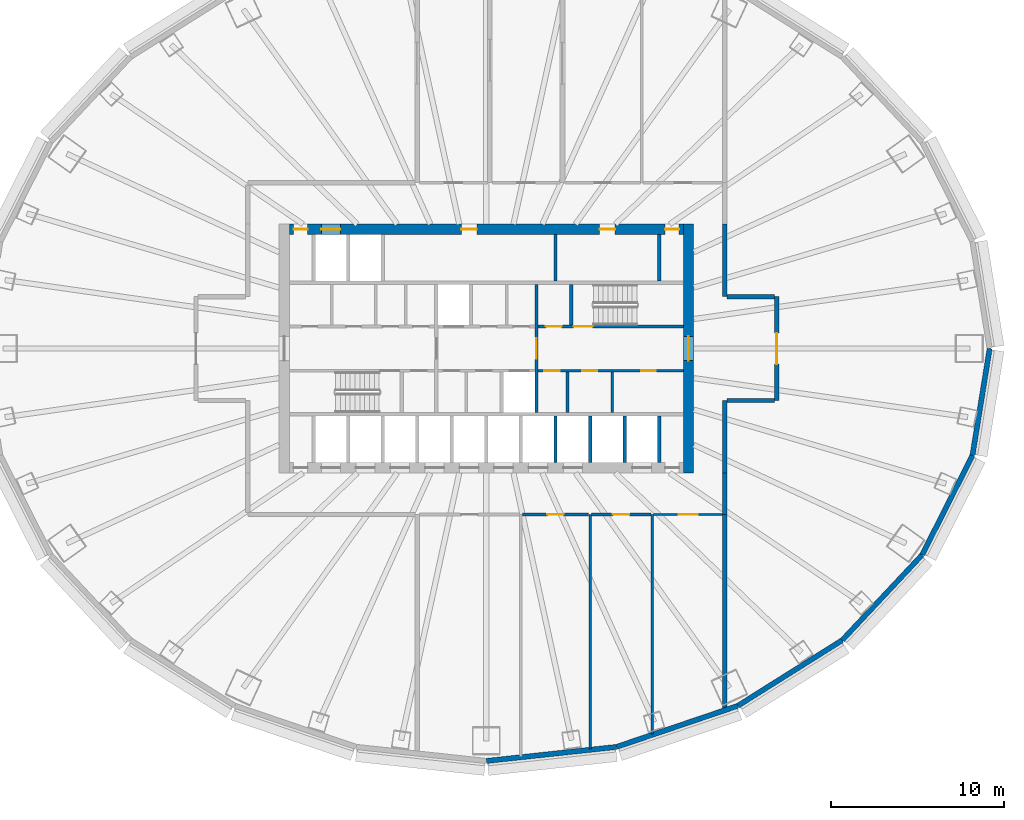
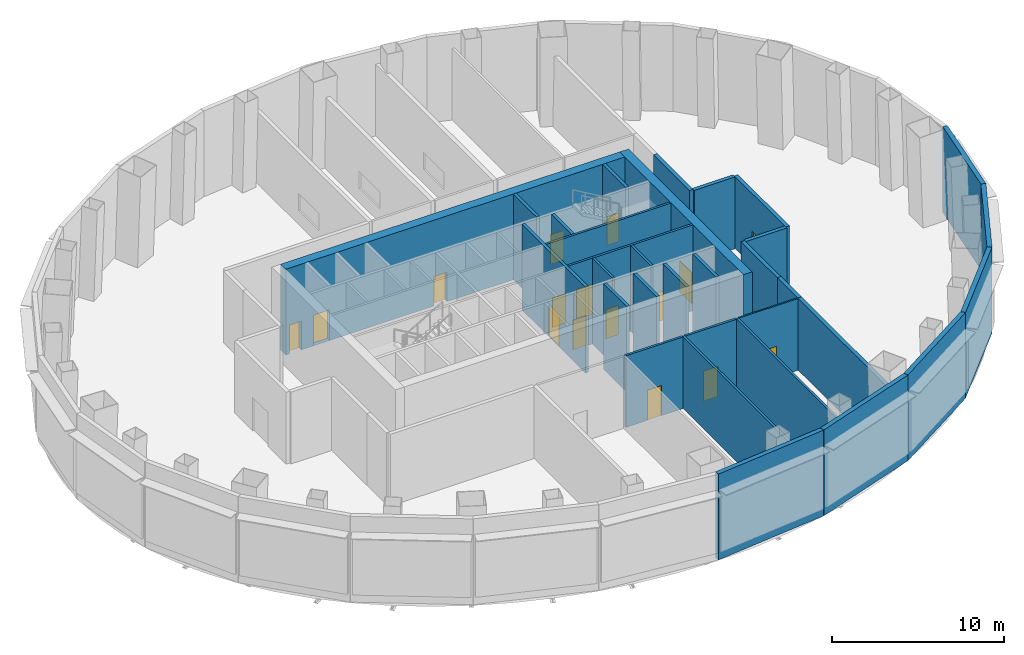
# One storey, part 4 of 9: 32 walls, 16 doors, 16 openings.
"""IFC4 building model written with IfcOpenShell, lengths in metres."""

from ifc_helpers import new_model, si_unit, direction, frame, frame_2d, origin, place, context, subcontext, project, spatial, rectangle, extrude, material, layer, layer_set, type_object, element, fill, save


model = new_model("IFC4")

# Units and contexts
model_context = context("Model", 3, precision=1e-05, world=origin(), true_north=direction((0.0, 1.0)))
body_context = subcontext(model_context, "Body", "Model", "MODEL_VIEW")
ifc_project = project(units=[si_unit("LENGTHUNIT", "METRE"), si_unit("AREAUNIT", "SQUARE_METRE"), si_unit("VOLUMEUNIT", "CUBIC_METRE"), si_unit("PLANEANGLEUNIT", "RADIAN"), si_unit("MASSUNIT", "GRAM", prefix="KILO")], contexts=[model_context])

# Site, building, storey
site_placement = place(None, origin())
site = spatial("IfcSite", under=ifc_project, at=site_placement, CompositionType="ELEMENT")
building_placement = place(site_placement, origin())
building = spatial("IfcBuilding", under=site, at=building_placement, Name="Siaravel Broadcast Tower", CompositionType="ELEMENT")
storey_placement = place(building_placement, frame((0.0, 0.0, 13.5)))
storey = spatial("IfcBuildingStorey", under=building, at=storey_placement, Name="L02", CompositionType="ELEMENT", Elevation=13.5)

# Walls
ifc_material_1 = material(Name="Concrete C40/50", Category="concrete")
ifc_layer_1 = layer(ifc_material_1, 0.300048828125)
ifc_layer_set_1 = layer_set([ifc_layer_1], Name="Concrete C40/50")
wall_type_1 = type_object("IfcWallType", Name="Acoustic studio wall", PredefinedType="STANDARD", material=ifc_layer_set_1)
wall_1_placement = place(storey_placement, frame((0.0, -23.86572265625, 0.0), z_axis=(0.0, 0.0, 1.0), x_axis=(0.994234458, 0.107227995, 0.0)))
element("IfcWall", 1, at=wall_1_placement, inside=storey, type_object=wall_type_1, Name="L02 studio acoustic wall 19", PredefinedType="STANDARD", context=body_context, shape_type="SweptSolid", body=[
    extrude(rectangle(XDim=7.57958984375, YDim=0.300048828125, at=frame_2d((3.789794921875, 0.0))), origin(), (0.0, 0.0, 1.0), 6.10009765625),
])
wall_2_placement = place(storey_placement, frame((7.535888671875, -23.052978515625, 0.0), z_axis=(0.0, 0.0, 1.0), x_axis=(0.946977627, 0.321299508, 0.0)))
element("IfcWall", 2, at=wall_2_placement, inside=storey, type_object=wall_type_1, Name="L02 studio acoustic wall 20", PredefinedType="STANDARD", context=body_context, shape_type="SweptSolid", body=[
    extrude(rectangle(XDim=7.416259765625, YDim=0.300048828125, at=frame_2d((3.7080078125, 0.0))), origin(), (0.0, 0.0, 1.0), 6.10009765625),
])
wall_3_placement = place(storey_placement, frame((14.558837890625, -20.670166015625, 0.0), z_axis=(0.0, 0.0, 1.0), x_axis=(0.846653753, 0.532144175, 0.0)))
element("IfcWall", 3, at=wall_3_placement, inside=storey, type_object=wall_type_1, Name="L02 studio acoustic wall 21", PredefinedType="STANDARD", context=body_context, shape_type="SweptSolid", body=[
    extrude(rectangle(XDim=7.12451171875, YDim=0.300048828125, at=frame_2d((3.562255859375, 0.0))), origin(), (0.0, 0.0, 1.0), 6.10009765625),
])
wall_4_placement = place(storey_placement, frame((20.5908203125, -16.87890625, 0.0), z_axis=(0.0, 0.0, 1.0), x_axis=(0.683676058, 0.729785617, 0.0)))
element("IfcWall", 4, at=wall_4_placement, inside=storey, type_object=wall_type_1, Name="L02 studio acoustic wall 22", PredefinedType="STANDARD", context=body_context, shape_type="SweptSolid", body=[
    extrude(rectangle(XDim=6.77197265625, YDim=0.300048828125, at=frame_2d((3.385986328125, 0.0))), origin(), (0.0, 0.0, 1.0), 6.10009765625),
])
wall_5_placement = place(storey_placement, frame((25.220703125, -11.936767578125, 0.0), z_axis=(0.0, 0.0, 1.0), x_axis=(0.45123552, 0.8924049, 0.0)))
element("IfcWall", 5, at=wall_5_placement, inside=storey, type_object=wall_type_1, Name="L02 studio acoustic wall 23", PredefinedType="STANDARD", context=body_context, shape_type="SweptSolid", body=[
    extrude(rectangle(XDim=6.451416015625, YDim=0.300048828125, at=frame_2d((3.2255859375, 0.0))), origin(), (0.0, 0.0, 1.0), 6.10009765625),
])
wall_6_placement = place(storey_placement, frame((28.1318359375, -6.179443359375, 0.0), z_axis=(0.0, 0.0, 1.0), x_axis=(0.158684207, 0.987329389, 0.0)))
element("IfcWall", 6, at=wall_6_placement, inside=storey, type_object=wall_type_1, Name="L02 studio acoustic wall 24", PredefinedType="STANDARD", context=body_context, shape_type="SweptSolid", body=[
    extrude(rectangle(XDim=6.2587890625, YDim=0.300048828125, at=frame_2d((3.12939453125, 0.0))), origin(), (0.0, 0.0, 1.0), 6.10009765625),
])
ifc_material_2 = material(Name="Concrete blockwork", Category="masonry")
ifc_layer_2 = layer(ifc_material_2, 0.14990234375)
ifc_layer_set_2 = layer_set([ifc_layer_2], Name="Concrete blockwork")
wall_type_2 = type_object("IfcWallType", Name="Core partition 150", PredefinedType="PARTITIONING", material=ifc_layer_set_2)
for number, where, z_axis, x_axis, name in (
    (7, (4.695068359375, -3.699951171875, 0.0), (0.0, 0.0, 1.0), (0.0, 1.0, 0.0), "L02 core partition PSE0"),
    (8, (7.27490234375, -3.699951171875, 0.0), (0.0, 0.0, 1.0), (0.0, 1.0, 0.0), "L02 core partition PSE1"),
):
    element("IfcWall", number, at=place(storey_placement, frame(where, z_axis=z_axis, x_axis=x_axis)), inside=storey, type_object=wall_type_2, Name=name, PredefinedType="PARTITIONING", context=body_context, shape_type="SweptSolid", body=[
        extrude(rectangle(XDim=2.349853515625, YDim=0.14990234375, at=frame_2d((1.1748046875, 0.0))), origin(), (0.0, 0.0, 1.0), 6.10009765625),
    ])
ifc_layer_3 = layer(ifc_material_2, 0.199951171875)
ifc_layer_set_3 = layer_set([ifc_layer_3], Name="Concrete blockwork")
wall_type_3 = type_object("IfcWallType", Name="Core partition 200", PredefinedType="PARTITIONING", material=ifc_layer_set_3)
wall_7_placement = place(storey_placement, frame((4.0, 3.89990234375, 0.0), z_axis=(0.0, 0.0, 1.0), x_axis=(0.0, 1.0, 0.0)))
element("IfcWall", 9, at=wall_7_placement, inside=storey, type_object=wall_type_3, Name="L02 core partition PFN2", PredefinedType="PARTITIONING", context=body_context, shape_type="SweptSolid", body=[
    extrude(rectangle(XDim=2.7001953125, YDim=0.199951171875, at=frame_2d((1.35009765625, 0.0))), origin(), (0.0, 0.0, 1.0), 6.10009765625),
])

# Wall, opening, door
ifc_material_3 = material(Name="Concrete C60/75", Category="concrete")
ifc_layer_4 = layer(ifc_material_3, 0.60009765625)
ifc_layer_set_4 = layer_set([ifc_layer_4], Name="Concrete C60/75")
wall_type_4 = type_object("IfcWallType", Name="Core wall 600", PredefinedType="SHEAR", material=ifc_layer_set_4)
wall_8_placement = place(storey_placement, frame((11.699951171875, -7.199951171875, 0.0), z_axis=(0.0, 0.0, 1.0), x_axis=(0.0, 1.0, 0.0)))
wall_8 = element("IfcWall", 10, at=wall_8_placement, inside=storey, type_object=wall_type_4, Name="L02 core wall OE", PredefinedType="SHEAR", context=body_context, shape_type="SweptSolid", body=[
    extrude(rectangle(XDim=14.39990234375, YDim=0.60009765625, at=frame_2d((7.199951171875, 0.0))), origin(), (0.0, 0.0, 1.0), 6.10009765625),
])
opening_1_placement = place(wall_8_placement, frame((6.5, 0.0, 0.0)))
opening_1 = element("IfcOpeningElement", 11, at=opening_1_placement, cuts=wall_8, Name="Opening L02-DX-E", PredefinedType="OPENING", context=body_context, shape_type="SweptSolid", body=[
    extrude(rectangle(XDim=1.39990234375, YDim=2.199951171875, at=frame_2d((0.699951171875, 1.10009765625))), frame((0.0, 0.31005859375, 0.0), z_axis=(0.0, -1.0, 0.0), x_axis=(1.0, 0.0, 0.0)), (0.0, 0.0, 1.0), 0.6201171875),
])
ifc_material_4 = material(Name="Steel", Category="steel")
door_type_1 = type_object("IfcDoorType", Name="Core exit door 1400", OperationType="DOUBLE_DOOR_SINGLE_SWING", PredefinedType="DOOR", material=ifc_material_4)
door_1_placement = place(opening_1_placement, origin())
door_1 = element("IfcDoor", 12, at=door_1_placement, inside=storey, type_object=door_type_1, Name="L02 door DX-E", OperationType="DOUBLE_DOOR_SINGLE_SWING", OverallHeight=2.199951171875, OverallWidth=1.39990234375, PredefinedType="DOOR", context=body_context, shape_type="SweptSolid", body=[
    extrude(rectangle(XDim=1.39990234375, YDim=2.199951171875, at=frame_2d((0.699951171875, 1.10009765625))), frame((0.0, 0.02490234375, 0.0), z_axis=(0.0, -1.0, 0.0), x_axis=(1.0, 0.0, 0.0)), (0.0, 0.0, 1.0), 0.050048828125),
])
fill(opening_1, door_1)

# Wall, openings, doors
wall_9_placement = place(storey_placement, frame((-11.39990234375, 6.89990234375, 0.0), z_axis=(0.0, 0.0, 1.0), x_axis=(1.0, 0.0, 0.0)))
wall_9 = element("IfcWall", 13, at=wall_9_placement, inside=storey, type_object=wall_type_4, Name="L02 core wall ON", PredefinedType="SHEAR", context=body_context, shape_type="SweptSolid", body=[
    extrude(rectangle(XDim=22.7998046875, YDim=0.60009765625, at=frame_2d((11.39990234375, 0.0))), origin(), (0.0, 0.0, 1.0), 6.10009765625),
])
opening_2_placement = place(wall_9_placement, frame((1.85009765625, 0.0, 0.0)))
opening_2 = element("IfcOpeningElement", 14, at=opening_2_placement, cuts=wall_9, Name="Opening LD-SV2-L02", PredefinedType="OPENING", context=body_context, shape_type="SweptSolid", body=[
    extrude(rectangle(XDim=1.10009765625, YDim=2.199951171875, at=frame_2d((0.550048828125, 1.10009765625))), frame((0.0, 0.31005859375, 0.0), z_axis=(0.0, -1.0, 0.0), x_axis=(1.0, 0.0, 0.0)), (0.0, 0.0, 1.0), 0.6201171875),
])
opening_3_placement = place(wall_9_placement, frame((9.949951171875, 0.0, 0.0)))
opening_3 = element("IfcOpeningElement", 15, at=opening_3_placement, cuts=wall_9, Name="Opening L02-DFN2", PredefinedType="OPENING", context=body_context, shape_type="SweptSolid", body=[
    extrude(rectangle(XDim=0.89990234375, YDim=2.10009765625, at=frame_2d((0.449951171875, 1.050048828125))), frame((0.0, 0.31005859375, 0.0), z_axis=(0.0, -1.0, 0.0), x_axis=(1.0, 0.0, 0.0)), (0.0, 0.0, 1.0), 0.6201171875),
])
opening_4_placement = place(wall_9_placement, frame((17.949951171875, 0.0, 0.0)))
opening_4 = element("IfcOpeningElement", 16, at=opening_4_placement, cuts=wall_9, Name="Opening L02-DFN7", PredefinedType="OPENING", context=body_context, shape_type="SweptSolid", body=[
    extrude(rectangle(XDim=0.89990234375, YDim=2.10009765625, at=frame_2d((0.449951171875, 1.050048828125))), frame((0.0, 0.31005859375, 0.0), z_axis=(0.0, -1.0, 0.0), x_axis=(1.0, 0.0, 0.0)), (0.0, 0.0, 1.0), 0.6201171875),
])
opening_5_placement = place(wall_9_placement, frame((0.25, 0.0, 0.0)))
opening_5 = element("IfcOpeningElement", 17, at=opening_5_placement, cuts=wall_9, Name="Opening L02-DRNW", PredefinedType="OPENING", context=body_context, shape_type="SweptSolid", body=[
    extrude(rectangle(XDim=0.800048828125, YDim=2.050048828125, at=frame_2d((0.39990234375, 1.02490234375))), frame((0.0, 0.31005859375, 0.0), z_axis=(0.0, -1.0, 0.0), x_axis=(1.0, 0.0, 0.0)), (0.0, 0.0, 1.0), 0.6201171875),
])
opening_6_placement = place(wall_9_placement, frame((21.75, 0.0, 0.0)))
opening_6 = element("IfcOpeningElement", 18, at=opening_6_placement, cuts=wall_9, Name="Opening L02-DRNE", PredefinedType="OPENING", context=body_context, shape_type="SweptSolid", body=[
    extrude(rectangle(XDim=0.800048828125, YDim=2.050048828125, at=frame_2d((0.39990234375, 1.02490234375))), frame((0.0, 0.31005859375, 0.0), z_axis=(0.0, -1.0, 0.0), x_axis=(1.0, 0.0, 0.0)), (0.0, 0.0, 1.0), 0.6201171875),
])
ifc_material_5 = material(Name="Timber veneer", Category="wood")
door_type_2 = type_object("IfcDoorType", Name="Core room door 900", OperationType="SINGLE_SWING_LEFT", PredefinedType="DOOR", material=ifc_material_5)
door_2_placement = place(opening_3_placement, origin())
door_2 = element("IfcDoor", 19, at=door_2_placement, inside=storey, type_object=door_type_2, Name="L02 door DFN2", OperationType="SINGLE_SWING_LEFT", OverallHeight=2.10009765625, OverallWidth=0.89990234375, PredefinedType="DOOR", context=body_context, shape_type="SweptSolid", body=[
    extrude(rectangle(XDim=0.89990234375, YDim=2.10009765625, at=frame_2d((0.449951171875, 1.050048828125))), frame((0.0, 0.02490234375, 0.0), z_axis=(0.0, -1.0, 0.0), x_axis=(1.0, 0.0, 0.0)), (0.0, 0.0, 1.0), 0.050048828125),
])
fill(opening_3, door_2)
door_3_placement = place(opening_4_placement, origin())
door_3 = element("IfcDoor", 20, at=door_3_placement, inside=storey, type_object=door_type_2, Name="L02 door DFN7", OperationType="SINGLE_SWING_LEFT", OverallHeight=2.10009765625, OverallWidth=0.89990234375, PredefinedType="DOOR", context=body_context, shape_type="SweptSolid", body=[
    extrude(rectangle(XDim=0.89990234375, YDim=2.10009765625, at=frame_2d((0.449951171875, 1.050048828125))), frame((0.0, 0.02490234375, 0.0), z_axis=(0.0, -1.0, 0.0), x_axis=(1.0, 0.0, 0.0)), (0.0, 0.0, 1.0), 0.050048828125),
])
fill(opening_4, door_3)
door_type_3 = type_object("IfcDoorType", Name="Riser door 800", OperationType="SINGLE_SWING_LEFT", PredefinedType="DOOR", material=ifc_material_4)
door_4_placement = place(opening_5_placement, origin())
door_4 = element("IfcDoor", 21, at=door_4_placement, inside=storey, type_object=door_type_3, Name="L02 door DRNW", OperationType="SINGLE_SWING_LEFT", OverallHeight=2.050048828125, OverallWidth=0.800048828125, PredefinedType="DOOR", context=body_context, shape_type="SweptSolid", body=[
    extrude(rectangle(XDim=0.800048828125, YDim=2.050048828125, at=frame_2d((0.39990234375, 1.02490234375))), frame((0.0, 0.02490234375, 0.0), z_axis=(0.0, -1.0, 0.0), x_axis=(1.0, 0.0, 0.0)), (0.0, 0.0, 1.0), 0.050048828125),
])
fill(opening_5, door_4)
door_5_placement = place(opening_6_placement, origin())
door_5 = element("IfcDoor", 22, at=door_5_placement, inside=storey, type_object=door_type_3, Name="L02 door DRNE", OperationType="SINGLE_SWING_LEFT", OverallHeight=2.050048828125, OverallWidth=0.800048828125, PredefinedType="DOOR", context=body_context, shape_type="SweptSolid", body=[
    extrude(rectangle(XDim=0.800048828125, YDim=2.050048828125, at=frame_2d((0.39990234375, 1.02490234375))), frame((0.0, 0.02490234375, 0.0), z_axis=(0.0, -1.0, 0.0), x_axis=(1.0, 0.0, 0.0)), (0.0, 0.0, 1.0), 0.050048828125),
])
fill(opening_6, door_5)
ifc_material_6 = material(Name="Stainless steel 316L", Category="steel")
door_type_4 = type_object("IfcDoorType", Name="Service lift landing door 1100", OperationType="DOUBLE_DOOR_SLIDING", PredefinedType="DOOR", material=ifc_material_6)
door_6_placement = place(opening_2_placement, origin())
door_6 = element("IfcDoor", 23, at=door_6_placement, inside=storey, type_object=door_type_4, Name="Landing door SV2 L02", OperationType="DOUBLE_DOOR_SLIDING", OverallHeight=2.199951171875, OverallWidth=1.10009765625, PredefinedType="DOOR", context=body_context, shape_type="SweptSolid", body=[
    extrude(rectangle(XDim=1.10009765625, YDim=2.199951171875, at=frame_2d((0.550048828125, 1.10009765625))), frame((0.0, 0.02490234375, 0.0), z_axis=(0.0, -1.0, 0.0), x_axis=(1.0, 0.0, 0.0)), (0.0, 0.0, 1.0), 0.050048828125),
])
fill(opening_2, door_6)

ifc_material_7 = material(Name="Gypsum board partition", Category="gypsum")
ifc_layer_5 = layer(ifc_material_7, 0.14990234375)
ifc_layer_set_5 = layer_set([ifc_layer_5], Name="Gypsum board partition")
wall_type_5 = type_object("IfcWallType", Name="Corridor wall 150", PredefinedType="PARTITIONING", material=ifc_layer_set_5)
wall_10_placement = place(storey_placement, frame((3.0, -1.27490234375, 0.0), z_axis=(0.0, 0.0, 1.0), x_axis=(1.0, 0.0, 0.0)))
wall_10 = element("IfcWall", 24, at=wall_10_placement, inside=storey, type_object=wall_type_5, Name="L02 core partition CSE", PredefinedType="PARTITIONING", context=body_context, shape_type="SweptSolid", body=[
    extrude(rectangle(XDim=8.39990234375, YDim=0.14990234375, at=frame_2d((4.199951171875, 0.0))), origin(), (0.0, 0.0, 1.0), 6.10009765625),
])
opening_7_placement = place(wall_10_placement, frame((0.360107421875, 0.0, 0.0)))
opening_7 = element("IfcOpeningElement", 25, at=opening_7_placement, cuts=wall_10, Name="Opening L02-DSE0", PredefinedType="OPENING", context=body_context, shape_type="SweptSolid", body=[
    extrude(rectangle(XDim=0.89990234375, YDim=2.10009765625, at=frame_2d((0.449951171875, 1.050048828125))), frame((0.0, 0.0849609375, 0.0), z_axis=(0.0, -1.0, 0.0), x_axis=(1.0, 0.0, 0.0)), (0.0, 0.0, 1.0), 0.169921875),
])
opening_8_placement = place(wall_10_placement, frame((2.56005859375, 0.0, 0.0)))
opening_8 = element("IfcOpeningElement", 26, at=opening_8_placement, cuts=wall_10, Name="Opening L02-DSE1", PredefinedType="OPENING", context=body_context, shape_type="SweptSolid", body=[
    extrude(rectangle(XDim=0.85009765625, YDim=2.10009765625, at=frame_2d((0.425048828125, 1.050048828125))), frame((0.0, 0.0849609375, 0.0), z_axis=(0.0, -1.0, 0.0), x_axis=(1.0, 0.0, 0.0)), (0.0, 0.0, 1.0), 0.169921875),
])
opening_9_placement = place(wall_10_placement, frame((5.949951171875, 0.0, 0.0)))
opening_9 = element("IfcOpeningElement", 27, at=opening_9_placement, cuts=wall_10, Name="Opening L02-DSE2", PredefinedType="OPENING", context=body_context, shape_type="SweptSolid", body=[
    extrude(rectangle(XDim=0.85009765625, YDim=2.10009765625, at=frame_2d((0.425048828125, 1.050048828125))), frame((0.0, 0.0849609375, 0.0), z_axis=(0.0, -1.0, 0.0), x_axis=(1.0, 0.0, 0.0)), (0.0, 0.0, 1.0), 0.169921875),
])
door_7_placement = place(opening_7_placement, origin())
door_7 = element("IfcDoor", 28, at=door_7_placement, inside=storey, type_object=door_type_2, Name="L02 door DSE0", OperationType="SINGLE_SWING_LEFT", OverallHeight=2.10009765625, OverallWidth=0.89990234375, PredefinedType="DOOR", context=body_context, shape_type="SweptSolid", body=[
    extrude(rectangle(XDim=0.89990234375, YDim=2.10009765625, at=frame_2d((0.449951171875, 1.050048828125))), frame((0.0, 0.02490234375, 0.0), z_axis=(0.0, -1.0, 0.0), x_axis=(1.0, 0.0, 0.0)), (0.0, 0.0, 1.0), 0.050048828125),
])
fill(opening_7, door_7)
door_type_5 = type_object("IfcDoorType", Name="Core toilet door 850", OperationType="SINGLE_SWING_LEFT", PredefinedType="DOOR", material=ifc_material_5)
door_8_placement = place(opening_8_placement, origin())
door_8 = element("IfcDoor", 29, at=door_8_placement, inside=storey, type_object=door_type_5, Name="L02 door DSE1", OperationType="SINGLE_SWING_LEFT", OverallHeight=2.10009765625, OverallWidth=0.85009765625, PredefinedType="DOOR", context=body_context, shape_type="SweptSolid", body=[
    extrude(rectangle(XDim=0.85009765625, YDim=2.10009765625, at=frame_2d((0.425048828125, 1.050048828125))), frame((0.0, 0.02490234375, 0.0), z_axis=(0.0, -1.0, 0.0), x_axis=(1.0, 0.0, 0.0)), (0.0, 0.0, 1.0), 0.050048828125),
])
fill(opening_8, door_8)
door_9_placement = place(opening_9_placement, origin())
door_9 = element("IfcDoor", 30, at=door_9_placement, inside=storey, type_object=door_type_5, Name="L02 door DSE2", OperationType="SINGLE_SWING_LEFT", OverallHeight=2.10009765625, OverallWidth=0.85009765625, PredefinedType="DOOR", context=body_context, shape_type="SweptSolid", body=[
    extrude(rectangle(XDim=0.85009765625, YDim=2.10009765625, at=frame_2d((0.425048828125, 1.050048828125))), frame((0.0, 0.02490234375, 0.0), z_axis=(0.0, -1.0, 0.0), x_axis=(1.0, 0.0, 0.0)), (0.0, 0.0, 1.0), 0.050048828125),
])
fill(opening_9, door_9)

# Wall, opening, door
wall_11_placement = place(storey_placement, frame((2.076904296875, -9.60009765625, 0.0), z_axis=(0.0, 0.0, 1.0), x_axis=(1.0, 0.0, 0.0)))
wall_11 = element("IfcWall", 31, at=wall_11_placement, inside=storey, type_object=wall_type_5, Name="L02 partition 25", PredefinedType="PARTITIONING", context=body_context, shape_type="SweptSolid", body=[
    extrude(rectangle(XDim=3.84619140625, YDim=0.14990234375, at=frame_2d((1.923095703125, 0.0))), origin(), (0.0, 0.0, 1.0), 5.10009765625),
])
opening_10_placement = place(wall_11_placement, frame((1.447998046875, 0.0, 0.0)))
opening_10 = element("IfcOpeningElement", 32, at=opening_10_placement, cuts=wall_11, Name="Opening L02-006", PredefinedType="OPENING", context=body_context, shape_type="SweptSolid", body=[
    extrude(rectangle(XDim=0.949951171875, YDim=2.14990234375, at=frame_2d((0.47509765625, 1.074951171875))), frame((0.0, 0.0849609375, 0.0), z_axis=(0.0, -1.0, 0.0), x_axis=(1.0, 0.0, 0.0)), (0.0, 0.0, 1.0), 0.169921875),
])
door_type_6 = type_object("IfcDoorType", Name="Office door 950", OperationType="SINGLE_SWING_LEFT", PredefinedType="DOOR", material=ifc_material_5)
door_10_placement = place(opening_10_placement, origin())
door_10 = element("IfcDoor", 33, at=door_10_placement, inside=storey, type_object=door_type_6, Name="L02 door to Make-up room", OperationType="SINGLE_SWING_RIGHT", OverallHeight=2.14990234375, OverallWidth=0.949951171875, PredefinedType="DOOR", context=body_context, shape_type="SweptSolid", body=[
    extrude(rectangle(XDim=0.949951171875, YDim=2.14990234375, at=frame_2d((0.47509765625, 1.074951171875))), frame((0.0, 0.02490234375, 0.0), z_axis=(0.0, -1.0, 0.0), x_axis=(1.0, 0.0, 0.0)), (0.0, 0.0, 1.0), 0.050048828125),
])
fill(opening_10, door_10)

wall_12_placement = place(storey_placement, frame((6.076904296875, -9.60009765625, 0.0), z_axis=(0.0, 0.0, 1.0), x_axis=(1.0, 0.0, 0.0)))
wall_12 = element("IfcWall", 34, at=wall_12_placement, inside=storey, type_object=wall_type_5, Name="L02 partition 26", PredefinedType="PARTITIONING", context=body_context, shape_type="SweptSolid", body=[
    extrude(rectangle(XDim=3.446044921875, YDim=0.14990234375, at=frame_2d((1.72314453125, 0.0))), origin(), (0.0, 0.0, 1.0), 5.10009765625),
])
opening_11_placement = place(wall_12_placement, frame((1.248046875, 0.0, 0.0)))
opening_11 = element("IfcOpeningElement", 35, at=opening_11_placement, cuts=wall_12, Name="Opening L02-007", PredefinedType="OPENING", context=body_context, shape_type="SweptSolid", body=[
    extrude(rectangle(XDim=0.949951171875, YDim=2.14990234375, at=frame_2d((0.47509765625, 1.074951171875))), frame((0.0, 0.0849609375, 0.0), z_axis=(0.0, -1.0, 0.0), x_axis=(1.0, 0.0, 0.0)), (0.0, 0.0, 1.0), 0.169921875),
])
door_11_placement = place(opening_11_placement, origin())
door_11 = element("IfcDoor", 36, at=door_11_placement, inside=storey, type_object=door_type_6, Name="L02 door to Costume store", OperationType="SINGLE_SWING_LEFT", OverallHeight=2.14990234375, OverallWidth=0.949951171875, PredefinedType="DOOR", context=body_context, shape_type="SweptSolid", body=[
    extrude(rectangle(XDim=0.949951171875, YDim=2.14990234375, at=frame_2d((0.47509765625, 1.074951171875))), frame((0.0, 0.02490234375, 0.0), z_axis=(0.0, -1.0, 0.0), x_axis=(1.0, 0.0, 0.0)), (0.0, 0.0, 1.0), 0.050048828125),
])
fill(opening_11, door_11)

ifc_material_8 = material(Name="Glazed aluminium partition", Category="aluminium")
ifc_layer_6 = layer(ifc_material_8, 0.10009765625)
ifc_layer_set_6 = layer_set([ifc_layer_6], Name="Glazed aluminium partition")
wall_type_6 = type_object("IfcWallType", Name="Glazed meeting room partition 100", PredefinedType="PARTITIONING", material=ifc_layer_set_6)
wall_13_placement = place(storey_placement, frame((9.677001953125, -9.60009765625, 0.0), z_axis=(0.0, 0.0, 1.0), x_axis=(1.0, 0.0, 0.0)))
wall_13 = element("IfcWall", 37, at=wall_13_placement, inside=storey, type_object=wall_type_6, Name="L02 partition 22", PredefinedType="PARTITIONING", context=body_context, shape_type="SweptSolid", body=[
    extrude(rectangle(XDim=3.99609375, YDim=0.10009765625, at=frame_2d((1.998046875, 0.0))), origin(), (0.0, 0.0, 1.0), 5.10009765625),
])
opening_12_placement = place(wall_13_placement, frame((1.447998046875, 0.0, 0.0)))
opening_12 = element("IfcOpeningElement", 38, at=opening_12_placement, cuts=wall_13, Name="Opening L02-008", PredefinedType="OPENING", context=body_context, shape_type="SweptSolid", body=[
    extrude(rectangle(XDim=1.10009765625, YDim=2.199951171875, at=frame_2d((0.550048828125, 1.10009765625))), frame((0.0, 0.06005859375, 0.0), z_axis=(0.0, -1.0, 0.0), x_axis=(1.0, 0.0, 0.0)), (0.0, 0.0, 1.0), 0.1201171875),
])
door_type_7 = type_object("IfcDoorType", Name="Meeting room door 1100", OperationType="SINGLE_SWING_LEFT", PredefinedType="DOOR", material=ifc_material_5)
door_12_placement = place(opening_12_placement, origin())
door_12 = element("IfcDoor", 39, at=door_12_placement, inside=storey, type_object=door_type_7, Name="L02 door to Briefing room", OperationType="SINGLE_SWING_RIGHT", OverallHeight=2.199951171875, OverallWidth=1.10009765625, PredefinedType="DOOR", context=body_context, shape_type="SweptSolid", body=[
    extrude(rectangle(XDim=1.10009765625, YDim=2.199951171875, at=frame_2d((0.550048828125, 1.10009765625))), frame((0.0, 0.02490234375, 0.0), z_axis=(0.0, -1.0, 0.0), x_axis=(1.0, 0.0, 0.0)), (0.0, 0.0, 1.0), 0.050048828125),
])
fill(opening_12, door_12)

# Walls
ifc_layer_7 = layer(ifc_material_7, 0.14990234375)
ifc_layer_set_7 = layer_set([ifc_layer_7], Name="Gypsum board partition")
wall_type_7 = type_object("IfcWallType", Name="Room partition 150", PredefinedType="PARTITIONING", material=ifc_layer_set_7)
wall_14_placement = place(storey_placement, frame((6.0, -23.168701171875, 0.0), z_axis=(0.0, 0.0, 1.0), x_axis=(0.0, 1.0, 0.0)))
element("IfcWall", 40, at=wall_14_placement, inside=storey, type_object=wall_type_7, Name="L02 partition 6", PredefinedType="PARTITIONING", context=body_context, shape_type="SweptSolid", body=[
    extrude(rectangle(XDim=13.568603515625, YDim=0.14990234375, at=frame_2d((6.7841796875, 0.0))), origin(), (0.0, 0.0, 1.0), 5.10009765625),
])
wall_15_placement = place(storey_placement, frame((9.60009765625, -22.302734375, 0.0), z_axis=(0.0, 0.0, 1.0), x_axis=(0.0, 1.0, 0.0)))
element("IfcWall", 41, at=wall_15_placement, inside=storey, type_object=wall_type_7, Name="L02 partition 8", PredefinedType="PARTITIONING", context=body_context, shape_type="SweptSolid", body=[
    extrude(rectangle(XDim=12.70263671875, YDim=0.14990234375, at=frame_2d((6.351318359375, 0.0))), origin(), (0.0, 0.0, 1.0), 5.10009765625),
])

# Wall, openings, doors
ifc_layer_8 = layer(ifc_material_3, 0.14990234375)
ifc_layer_set_8 = layer_set([ifc_layer_8], Name="Concrete C60/75")
wall_type_8 = type_object("IfcWallType", Name="Shaft wall 150", PredefinedType="SHEAR", material=ifc_layer_set_8)
wall_16_placement = place(storey_placement, frame((3.0, 1.27490234375, 0.0), z_axis=(0.0, 0.0, 1.0), x_axis=(1.0, 0.0, 0.0)))
wall_16 = element("IfcWall", 42, at=wall_16_placement, inside=storey, type_object=wall_type_8, Name="L02 core wall CNE", PredefinedType="SHEAR", context=body_context, shape_type="SweptSolid", body=[
    extrude(rectangle(XDim=8.39990234375, YDim=0.14990234375, at=frame_2d((4.199951171875, 0.0))), origin(), (0.0, 0.0, 1.0), 6.10009765625),
])
opening_13_placement = place(wall_16_placement, frame((2.050048828125, 0.0, 0.0)))
opening_13 = element("IfcOpeningElement", 43, at=opening_13_placement, cuts=wall_16, Name="Opening L02-DS-2", PredefinedType="OPENING", context=body_context, shape_type="SweptSolid", body=[
    extrude(rectangle(XDim=1.10009765625, YDim=2.14990234375, at=frame_2d((0.550048828125, 1.074951171875))), frame((0.0, 0.0849609375, 0.0), z_axis=(0.0, -1.0, 0.0), x_axis=(1.0, 0.0, 0.0)), (0.0, 0.0, 1.0), 0.169921875),
])
opening_14_placement = place(wall_16_placement, frame((0.449951171875, 0.0, 0.0)))
opening_14 = element("IfcOpeningElement", 44, at=opening_14_placement, cuts=wall_16, Name="Opening L02-DNE0", PredefinedType="OPENING", context=body_context, shape_type="SweptSolid", body=[
    extrude(rectangle(XDim=0.89990234375, YDim=2.10009765625, at=frame_2d((0.449951171875, 1.050048828125))), frame((0.0, 0.0849609375, 0.0), z_axis=(0.0, -1.0, 0.0), x_axis=(1.0, 0.0, 0.0)), (0.0, 0.0, 1.0), 0.169921875),
])
door_13_placement = place(opening_14_placement, origin())
door_13 = element("IfcDoor", 45, at=door_13_placement, inside=storey, type_object=door_type_2, Name="L02 door DNE0", OperationType="SINGLE_SWING_LEFT", OverallHeight=2.10009765625, OverallWidth=0.89990234375, PredefinedType="DOOR", context=body_context, shape_type="SweptSolid", body=[
    extrude(rectangle(XDim=0.89990234375, YDim=2.10009765625, at=frame_2d((0.449951171875, 1.050048828125))), frame((0.0, 0.02490234375, 0.0), z_axis=(0.0, -1.0, 0.0), x_axis=(1.0, 0.0, 0.0)), (0.0, 0.0, 1.0), 0.050048828125),
])
fill(opening_14, door_13)
door_type_8 = type_object("IfcDoorType", Name="Stair door 1100", OperationType="SINGLE_SWING_LEFT", PredefinedType="DOOR", material=ifc_material_4)
door_14_placement = place(opening_13_placement, origin())
door_14 = element("IfcDoor", 46, at=door_14_placement, inside=storey, type_object=door_type_8, Name="L02 door DS-2", OperationType="SINGLE_SWING_LEFT", OverallHeight=2.14990234375, OverallWidth=1.10009765625, PredefinedType="DOOR", context=body_context, shape_type="SweptSolid", body=[
    extrude(rectangle(XDim=1.10009765625, YDim=2.14990234375, at=frame_2d((0.550048828125, 1.074951171875))), frame((0.0, 0.02490234375, 0.0), z_axis=(0.0, -1.0, 0.0), x_axis=(1.0, 0.0, 0.0)), (0.0, 0.0, 1.0), 0.050048828125),
])
fill(opening_13, door_14)

# Walls
ifc_layer_9 = layer(ifc_material_3, 0.199951171875)
ifc_layer_set_9 = layer_set([ifc_layer_9], Name="Concrete C60/75")
wall_type_9 = type_object("IfcWallType", Name="Shaft wall 200", PredefinedType="SHEAR", material=ifc_layer_set_9)
for number, where, z_axis, x_axis, name in (
    (47, (4.0, -6.60009765625, 0.0), (0.0, 0.0, 1.0), (0.0, 1.0, 0.0), "L02 core wall SWS7"),
    (48, (6.0, -6.60009765625, 0.0), (0.0, 0.0, 1.0), (0.0, 1.0, 0.0), "L02 core wall SWS8"),
    (49, (8.0, -6.60009765625, 0.0), (0.0, 0.0, 1.0), (0.0, 1.0, 0.0), "L02 core wall SWS9"),
    (50, (10.0, -6.60009765625, 0.0), (0.0, 0.0, 1.0), (0.0, 1.0, 0.0), "L02 core wall SWS10"),
    (51, (10.0, 3.89990234375, 0.0), (0.0, 0.0, 1.0), (0.0, 1.0, 0.0), "L02 core wall SWN10"),
):
    element("IfcWall", number, at=place(storey_placement, frame(where, z_axis=z_axis, x_axis=x_axis)), inside=storey, type_object=wall_type_9, Name=name, PredefinedType="SHEAR", context=body_context, shape_type="SweptSolid", body=[
        extrude(rectangle(XDim=2.7001953125, YDim=0.199951171875, at=frame_2d((1.35009765625, 0.0))), origin(), (0.0, 0.0, 1.0), 6.10009765625),
    ])

# Wall, opening, door
wall_17_placement = place(storey_placement, frame((2.89990234375, -3.699951171875, 0.0), z_axis=(0.0, 0.0, 1.0), x_axis=(0.0, 1.0, 0.0)))
wall_17 = element("IfcWall", 52, at=wall_17_placement, inside=storey, type_object=wall_type_9, Name="L02 core wall LE", PredefinedType="SHEAR", context=body_context, shape_type="SweptSolid", body=[
    extrude(rectangle(XDim=7.39990234375, YDim=0.199951171875, at=frame_2d((3.699951171875, 0.0))), origin(), (0.0, 0.0, 1.0), 6.10009765625),
])
opening_15_placement = place(wall_17_placement, frame((3.10009765625, 0.0, 0.0)))
opening_15 = element("IfcOpeningElement", 53, at=opening_15_placement, cuts=wall_17, Name="Opening L02-DL-E", PredefinedType="OPENING", context=body_context, shape_type="SweptSolid", body=[
    extrude(rectangle(XDim=1.199951171875, YDim=2.199951171875, at=frame_2d((0.60009765625, 1.10009765625))), frame((0.0, 0.10986328125, 0.0), z_axis=(0.0, -1.0, 0.0), x_axis=(1.0, 0.0, 0.0)), (0.0, 0.0, 1.0), 0.219970703125),
])
door_type_9 = type_object("IfcDoorType", Name="Firefighting lobby door 1200", OperationType="SINGLE_SWING_LEFT", PredefinedType="DOOR", material=ifc_material_4)
door_15_placement = place(opening_15_placement, origin())
door_15 = element("IfcDoor", 54, at=door_15_placement, inside=storey, type_object=door_type_9, Name="L02 door DL-E", OperationType="SINGLE_SWING_LEFT", OverallHeight=2.199951171875, OverallWidth=1.199951171875, PredefinedType="DOOR", context=body_context, shape_type="SweptSolid", body=[
    extrude(rectangle(XDim=1.199951171875, YDim=2.199951171875, at=frame_2d((0.60009765625, 1.10009765625))), frame((0.0, 0.02490234375, 0.0), z_axis=(0.0, -1.0, 0.0), x_axis=(1.0, 0.0, 0.0)), (0.0, 0.0, 1.0), 0.050048828125),
])
fill(opening_15, door_15)

# Walls
wall_18_placement = place(storey_placement, frame((4.89990234375, 1.35009765625, 0.0), z_axis=(0.0, 0.0, 1.0), x_axis=(0.0, 1.0, 0.0)))
element("IfcWall", 55, at=wall_18_placement, inside=storey, type_object=wall_type_9, Name="L02 core wall ST2W", PredefinedType="SHEAR", context=body_context, shape_type="SweptSolid", body=[
    extrude(rectangle(XDim=2.349853515625, YDim=0.199951171875, at=frame_2d((1.1748046875, 0.0))), origin(), (0.0, 0.0, 1.0), 6.10009765625),
])
ifc_layer_10 = layer(ifc_material_2, 0.25)
ifc_layer_set_10 = layer_set([ifc_layer_10], Name="Concrete blockwork")
wall_type_10 = type_object("IfcWallType", Name="Studio wall 250", PredefinedType="PARTITIONING", material=ifc_layer_set_10)
wall_19_placement = place(storey_placement, frame((13.800048828125, -9.60009765625, 0.0), z_axis=(0.0, 0.0, 1.0), x_axis=(0.0, -1.0, 0.0)))
element("IfcWall", 56, at=wall_19_placement, inside=storey, type_object=wall_type_10, Name="L02 partition 9", PredefinedType="PARTITIONING", context=body_context, shape_type="SweptSolid", body=[
    extrude(rectangle(XDim=11.277587890625, YDim=0.25, at=frame_2d((5.638671875, 0.0))), origin(), (0.0, 0.0, 1.0), 5.10009765625),
])

# Wall, opening, door
wall_20_placement = place(storey_placement, frame((16.800048828125, -3.0, 0.0), z_axis=(0.0, 0.0, 1.0), x_axis=(0.0, 1.0, 0.0)))
wall_20 = element("IfcWall", 57, at=wall_20_placement, inside=storey, type_object=wall_type_10, Name="L02 partition 15", PredefinedType="PARTITIONING", context=body_context, shape_type="SweptSolid", body=[
    extrude(rectangle(XDim=6.0, YDim=0.25, at=frame_2d((3.0, 0.0))), origin(), (0.0, 0.0, 1.0), 5.10009765625),
])
opening_16_placement = place(wall_20_placement, frame((2.10009765625, 0.0, 0.0)))
opening_16 = element("IfcOpeningElement", 58, at=opening_16_placement, cuts=wall_20, Name="Opening L02-010", PredefinedType="OPENING", context=body_context, shape_type="SweptSolid", body=[
    extrude(rectangle(XDim=1.800048828125, YDim=2.39990234375, at=frame_2d((0.89990234375, 1.199951171875))), frame((0.0, 0.135009765625, 0.0), z_axis=(0.0, -1.0, 0.0), x_axis=(1.0, 0.0, 0.0)), (0.0, 0.0, 1.0), 0.27001953125),
])
ifc_material_9 = material(Name="Acoustic timber and steel", Category="steel")
door_type_10 = type_object("IfcDoorType", Name="Studio sound door 1800", OperationType="DOUBLE_DOOR_SINGLE_SWING", PredefinedType="DOOR", material=ifc_material_9)
door_16_placement = place(opening_16_placement, origin())
door_16 = element("IfcDoor", 59, at=door_16_placement, inside=storey, type_object=door_type_10, Name="L02 door to Studio D", OperationType="DOUBLE_DOOR_SINGLE_SWING", OverallHeight=2.39990234375, OverallWidth=1.800048828125, PredefinedType="DOOR", context=body_context, shape_type="SweptSolid", body=[
    extrude(rectangle(XDim=1.800048828125, YDim=2.39990234375, at=frame_2d((0.89990234375, 1.199951171875))), frame((0.0, 0.02490234375, 0.0), z_axis=(0.0, -1.0, 0.0), x_axis=(1.0, 0.0, 0.0)), (0.0, 0.0, 1.0), 0.050048828125),
])
fill(opening_16, door_16)

# Walls
for number, where, z_axis, x_axis, name in (
    (60, (13.800048828125, -7.2119140625, 0.0), (0.0, 0.0, 1.0), (0.0, 1.0, 0.0), "L02 partition 20"),
    (61, (13.800048828125, 3.0, 0.0), (0.0, 0.0, 1.0), (0.0, 1.0, 0.0), "L02 partition 21"),
):
    element("IfcWall", number, at=place(storey_placement, frame(where, z_axis=z_axis, x_axis=x_axis)), inside=storey, type_object=wall_type_10, Name=name, PredefinedType="PARTITIONING", context=body_context, shape_type="SweptSolid", body=[
        extrude(rectangle(XDim=4.2119140625, YDim=0.25, at=frame_2d((2.10595703125, 0.0))), origin(), (0.0, 0.0, 1.0), 5.10009765625),
    ])
for number, where, z_axis, x_axis, name in (
    (62, (13.927001953125, -3.0, 0.0), (0.0, 0.0, 1.0), (1.0, 0.0, 0.0), "L02 partition 29"),
    (63, (16.673095703125, 3.0, 0.0), (0.0, 0.0, 1.0), (-1.0, 0.0, 0.0), "L02 partition 30"),
):
    element("IfcWall", number, at=place(storey_placement, frame(where, z_axis=z_axis, x_axis=x_axis)), inside=storey, type_object=wall_type_10, Name=name, PredefinedType="PARTITIONING", context=body_context, shape_type="SweptSolid", body=[
        extrude(rectangle(XDim=2.74609375, YDim=0.25, at=frame_2d((1.373046875, 0.0))), origin(), (0.0, 0.0, 1.0), 5.10009765625),
    ])
wall_21_placement = place(storey_placement, frame((13.800048828125, -9.59912109375, 0.0), z_axis=(0.0, 0.0, 1.0), x_axis=(0.0, 1.0, 0.0)))
element("IfcWall", 64, at=wall_21_placement, inside=storey, type_object=wall_type_10, Name="L02 partition 31", PredefinedType="PARTITIONING", context=body_context, shape_type="SweptSolid", body=[
    extrude(rectangle(XDim=2.38623046875, YDim=0.25, at=frame_2d((1.193115234375, 0.0))), origin(), (0.0, 0.0, 1.0), 5.10009765625),
])

save(model, "model.ifc")
